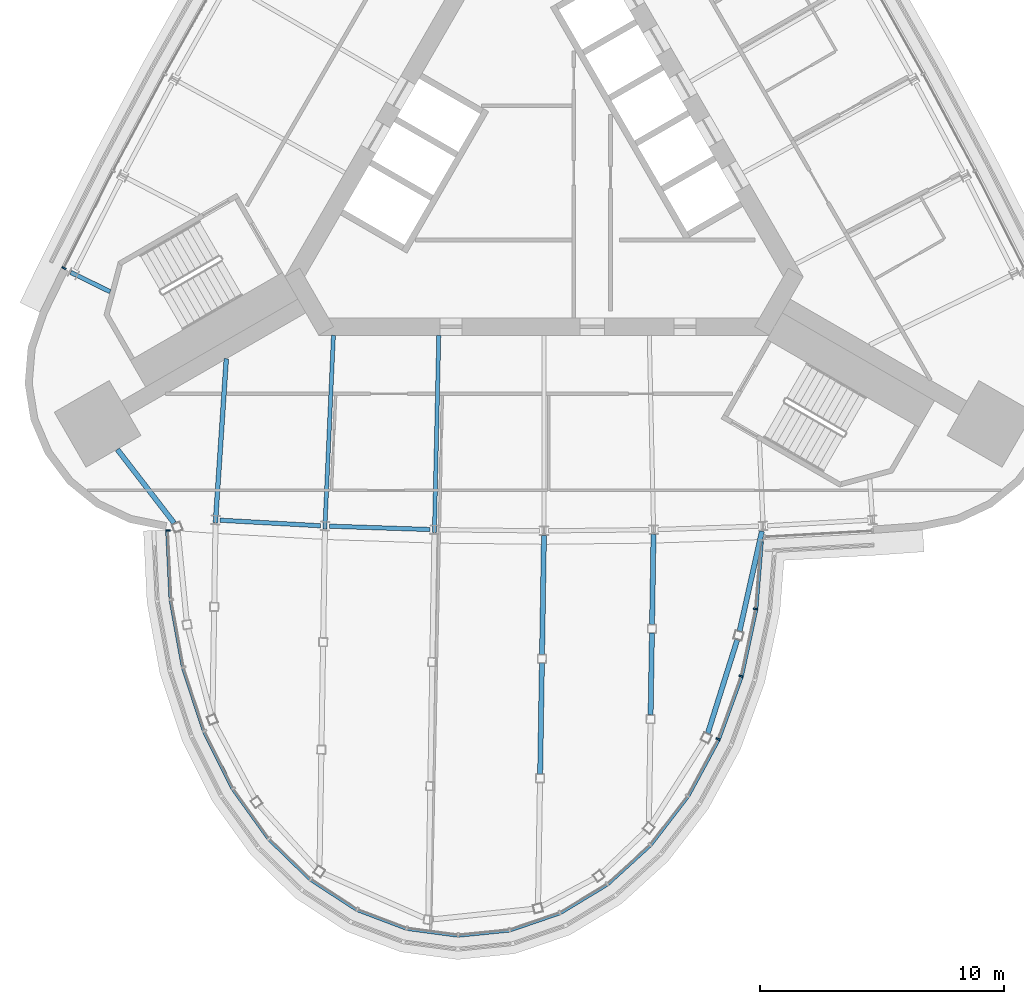
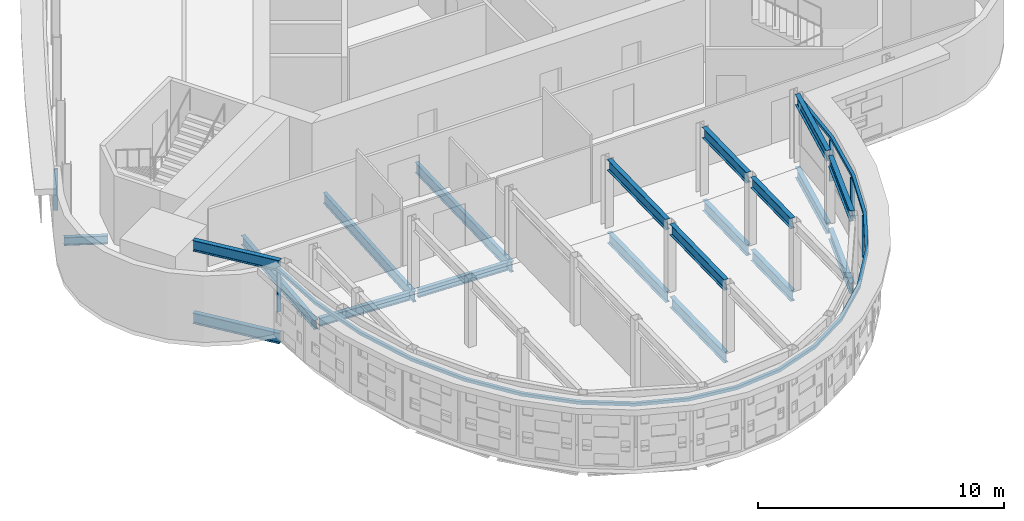
# One storey, part 4 of 15: 20 beams, 6 members, 2 elements without a shape of their own.
"""IFC4 building model written with IfcOpenShell, lengths in metres."""

import ifcopenshell
import ifcopenshell.guid

model = None  # the IFC model being written
_history = None  # IfcOwnerHistory: only IFC2X3 demands one
_inside = {}  # id of a spatial element -> (the spatial element, [elements in it])
_under = {}  # id of a project, library or spatial element -> (it, [spatial elements below it])
_declared = {}  # id of a project -> (the project, [libraries it declares])
_typed = {}  # id of a type object -> (the type object, [elements of that type])
_made_of = {}  # id of a material, layer set ... -> (it, [elements and type objects made of it])


def new_model(schema):
    """Start an empty IFC model of exactly this schema.

    Asked for "IFC4X3", IfcOpenShell would pick the latest addendum, in which some entities
    have other attributes; the version numbers below select the first issue.
    IFC2X3 requires an IfcOwnerHistory on every rooted entity: one is made here for all.
    """
    global model, _history
    if schema == "IFC4X3":
        model = ifcopenshell.file(schema_version=(4, 3, 0, 0))
    else:
        model = ifcopenshell.file(schema=schema)
    _inside.clear()
    _under.clear()
    _declared.clear()
    _typed.clear()
    _made_of.clear()
    _history = None
    if model.schema == "IFC2X3":
        org = make("IfcOrganization", Name="unknown")
        user = make(
            "IfcPersonAndOrganization",
            ThePerson=make("IfcPerson", FamilyName="unknown"),
            TheOrganization=org,
        )
        app = make(
            "IfcApplication",
            ApplicationDeveloper=org,
            Version="unknown",
            ApplicationFullName="unknown",
            ApplicationIdentifier="unknown",
        )
        _history = make(
            "IfcOwnerHistory",
            OwningUser=user,
            OwningApplication=app,
            ChangeAction="ADDED",
            CreationDate=0,
        )
    return model


def make(cls, **values):
    """One entity of the class cls with the attributes given. An attribute that is None is left unset."""
    return model.create_entity(
        cls, **{name: value for name, value in values.items() if value is not None}
    )


def rooted(cls, **values):
    """An entity with a GlobalId (a new one), such as an element, a storey or a relation."""
    return make(cls, GlobalId=ifcopenshell.guid.new(), OwnerHistory=_history, **values)


def si_unit(unit_type, name, prefix=None):
    """IfcSIUnit, for example si_unit("LENGTHUNIT", "METRE", prefix="MILLI")."""
    return make("IfcSIUnit", UnitType=unit_type, Prefix=prefix, Name=name)


def assignment(units):
    """IfcUnitAssignment: the units of a project."""
    return None if units is None else make("IfcUnitAssignment", Units=units)


def point(xyz):
    """IfcCartesianPoint."""
    return None if xyz is None else make("IfcCartesianPoint", Coordinates=xyz)


def direction(xyz):
    """IfcDirection."""
    return None if xyz is None else make("IfcDirection", DirectionRatios=xyz)


def frame(location, z_axis=None, x_axis=None):
    """IfcAxis2Placement3D, a coordinate frame: its origin and axes. An axis left out is left unset."""
    return make(
        "IfcAxis2Placement3D",
        Location=point(location),
        Axis=direction(z_axis),
        RefDirection=direction(x_axis),
    )


def frame_2d(location, x_axis=None):
    """IfcAxis2Placement2D, a coordinate frame in the plane: its origin and x axis."""
    return make(
        "IfcAxis2Placement2D", Location=point(location), RefDirection=direction(x_axis)
    )


def origin():
    """The frame at (0, 0, 0) with its axes left unset."""
    return frame((0.0, 0.0, 0.0))


def origin_2d():
    """The frame at (0, 0) in the plane with its x axis left unset."""
    return frame_2d((0.0, 0.0))


def place(relative_to, where):
    """IfcLocalPlacement: puts the frame where relative to a parent placement (None: the world)."""
    return make(
        "IfcLocalPlacement", PlacementRelTo=relative_to, RelativePlacement=where
    )


def context(
    kind, dimensions, precision=None, world=None, true_north=None, identifier=None
):
    """IfcGeometricRepresentationContext, for example the 3D "Model" context."""
    return make(
        "IfcGeometricRepresentationContext",
        ContextIdentifier=identifier,
        ContextType=kind,
        CoordinateSpaceDimension=dimensions,
        Precision=precision,
        WorldCoordinateSystem=world,
        TrueNorth=true_north,
    )


def subcontext(parent, identifier, kind, view, scale=None):
    """IfcGeometricRepresentationSubContext, for example "Body" below "Model"."""
    return make(
        "IfcGeometricRepresentationSubContext",
        ContextIdentifier=identifier,
        ContextType=kind,
        ParentContext=parent,
        TargetScale=scale,
        TargetView=view,
    )


def project(units=None, contexts=None):
    """IfcProject with its units and contexts."""
    return rooted(
        "IfcProject",
        Name="project",
        RepresentationContexts=contexts,
        UnitsInContext=assignment(units),
    )


def spatial(cls, under=None, at=None, **own):
    """A site, building, storey or space (cls), placed at a placement, below another one or the project."""
    s = rooted(cls, ObjectPlacement=at, **own)
    if under is not None:
        _under.setdefault(under.id(), (under, []))[1].append(s)
    return s


def polyline(points):
    """IfcPolyline through the points."""
    return make("IfcPolyline", Points=[point(p) for p in points])


def profile(cls, at=None, kind="AREA", **sizes):
    """A parametric profile (cls). Its sizes go by their IFC names, for example OverallWidth=200.0."""
    return make(cls, ProfileType=kind, Position=at, **sizes)


def rectangle(**sizes):
    """IfcRectangleProfileDef."""
    return profile("IfcRectangleProfileDef", **sizes)


def i_section(**sizes):
    """IfcIShapeProfileDef."""
    return profile("IfcIShapeProfileDef", **sizes)


def outline(outer, holes=None, kind="AREA"):
    """IfcArbitraryClosedProfileDef: a profile drawn as a closed curve; with holes, ...WithVoids."""
    if holes is None:
        return make("IfcArbitraryClosedProfileDef", ProfileType=kind, OuterCurve=outer)
    return make(
        "IfcArbitraryProfileDefWithVoids",
        ProfileType=kind,
        OuterCurve=outer,
        InnerCurves=holes,
    )


def extrude(swept, where, along, depth):
    """IfcExtrudedAreaSolid: the profile swept, set in the frame where, extruded along a direction by depth."""
    return make(
        "IfcExtrudedAreaSolid",
        SweptArea=swept,
        Position=where,
        ExtrudedDirection=direction(along),
        Depth=depth,
    )


def shape(context_of_items, identifier, shape_type, items):
    """IfcShapeRepresentation: the items that make up one representation, for example the "Body"."""
    return make(
        "IfcShapeRepresentation",
        ContextOfItems=context_of_items,
        RepresentationIdentifier=identifier,
        RepresentationType=shape_type,
        Items=items,
    )


def material(Name=None, Category=None):
    """IfcMaterial."""
    return make("IfcMaterial", Name=Name, Category=Category)


def material_profile(
    of_material, cross_section, Name=None, Category=None, Priority=None
):
    """IfcMaterialProfile: a cross section and its material."""
    return make(
        "IfcMaterialProfile",
        Name=Name,
        Material=of_material,
        Profile=cross_section,
        Priority=Priority,
        Category=Category,
    )


def profile_set(profiles, Name=None, composite=None):
    """IfcMaterialProfileSet."""
    return make(
        "IfcMaterialProfileSet",
        Name=Name,
        MaterialProfiles=profiles,
        CompositeProfile=composite,
    )


def made_of(thing, what):
    """Note that an element or type object is made of a material, layer set ...; save() writes the relation."""
    if what is not None:
        _made_of.setdefault(what.id(), (what, []))[1].append(thing)
    return thing


def type_object(cls, material=None, **own):
    """A type object (cls), such as IfcWallType, which elements share."""
    return made_of(rooted(cls, **own), material)


def element(
    cls,
    number,
    at=None,
    inside=None,
    cuts=None,
    type_object=None,
    material=None,
    context=None,
    identifier="Body",
    shape_type=None,
    held_by="IfcProductDefinitionShape",
    body=None,
    shapes=None,
    **own,
):
    """One element of the class cls, such as IfcWall. Its Tag is "e" and its number.

    at: its placement. inside: the storey or other place that contains it. cuts: it is an
    opening in that element (IfcRelVoidsElement). A single representation is given by context,
    identifier, shape_type and body (its items); several are given by shapes. held_by: the class
    of the entity that holds the representations. save() writes the other relations.
    """
    e = rooted(cls, Tag="e%d" % number, ObjectPlacement=at, **own)
    if body is not None:
        shapes = [shape(context, identifier, shape_type, body)]
    if shapes is not None:
        e.Representation = make(held_by, Representations=shapes)
    if inside is not None:
        _inside.setdefault(inside.id(), (inside, []))[1].append(e)
    if cuts is not None:
        rooted(
            "IfcRelVoidsElement", RelatingBuildingElement=cuts, RelatedOpeningElement=e
        )
    if type_object is not None:
        _typed.setdefault(type_object.id(), (type_object, []))[1].append(e)
    return made_of(e, material)


def aggregate(whole, parts):
    """IfcRelAggregates: a whole, such as a stair, and the parts it consists of."""
    return rooted("IfcRelAggregates", RelatingObject=whole, RelatedObjects=parts)


def save(model, path):
    """Write the relations noted so far, then the file.

    IfcRelAggregates (storeys below a building ...), IfcRelContainedInSpatialStructure (elements
    in a storey), IfcRelDefinesByType, IfcRelAssociatesMaterial and IfcRelDeclares: one each for
    every whole, place, type object, material and project.
    """
    for whole, parts in _under.values():
        aggregate(whole, parts)
    for where, things in _inside.values():
        rooted(
            "IfcRelContainedInSpatialStructure",
            RelatedElements=things,
            RelatingStructure=where,
        )
    for kind, things in _typed.values():
        rooted("IfcRelDefinesByType", RelatedObjects=things, RelatingType=kind)
    for what, things in _made_of.values():
        rooted("IfcRelAssociatesMaterial", RelatedObjects=things, RelatingMaterial=what)
    for by, libraries in _declared.values():
        rooted("IfcRelDeclares", RelatingContext=by, RelatedDefinitions=libraries)
    model.write(path)


model = new_model("IFC4")

# Units and contexts
model_context = context("Model", 3, precision=1e-05, world=origin(), true_north=direction((0.0, 1.0)))
body_context = subcontext(model_context, "Body", "Model", "MODEL_VIEW")
ifc_project = project(units=[si_unit("LENGTHUNIT", "METRE"), si_unit("AREAUNIT", "SQUARE_METRE"), si_unit("VOLUMEUNIT", "CUBIC_METRE"), si_unit("PLANEANGLEUNIT", "RADIAN"), si_unit("MASSUNIT", "GRAM", prefix="KILO")], contexts=[model_context])

# Site, building, storey
site_placement = place(None, origin())
site = spatial("IfcSite", under=ifc_project, at=site_placement, CompositionType="ELEMENT")
building_placement = place(site_placement, origin())
building = spatial("IfcBuilding", under=site, at=building_placement, Name="Noor Cloister Tower", CompositionType="ELEMENT")
storey_placement = place(building_placement, frame((0.0, 0.0, 225.60009765625)))
storey = spatial("IfcBuildingStorey", under=building, at=storey_placement, Name="L58", CompositionType="ELEMENT", Elevation=225.60009765625)

# Curtain wall, member
ifc_material_1 = material(Name="Aluminium 6063-T6 anodised", Category="aluminium")
curtain_wall_type_1 = type_object("IfcCurtainWallType", Name="Sky bar curtain wall, upper bars CW6", PredefinedType="NOTDEFINED", material=ifc_material_1)
curtain_wall_1_placement = place(storey_placement, origin())
curtain_wall_1 = element("IfcCurtainWall", 1, at=curtain_wall_1_placement, inside=storey, type_object=curtain_wall_type_1, Name="CW6 L58 S sky bar run 2", PredefinedType="NOTDEFINED")
ifc_material_2 = material(Name="Aluminium 6063-T6 anodised", Category="aluminium")
member_type_1 = type_object("IfcMemberType", Name="Head transom CW6 150", PredefinedType="USERDEFINED", material=ifc_material_2)
member_1_placement = place(storey_placement, frame((0.0, 0.0, 3.14990234375)))
member_1 = element("IfcMember", 2, at=member_1_placement, type_object=member_type_1, Name="CW6 head transom", ObjectType="TRANSOM", PredefinedType="USERDEFINED", context=body_context, shape_type="SweptSolid", body=[
    extrude(outline(polyline([(-15.50732421875, -14.898193359375), (-15.366943359375, -17.76611328125), (-14.85888671875, -20.552734375), (-13.998046875, -23.173583984375), (-12.810791015625, -25.548828125), (-11.333251953125, -27.6064453125), (-9.6103515625, -29.2841796875), (-7.6943359375, -30.530517578125), (-5.643310546875, -31.307861328125), (-3.519775390625, -31.5927734375), (-1.38818359375, -31.376220703125), (0.686767578125, -30.6650390625), (2.641845703125, -29.480712890625), (4.417724609375, -27.859130859375), (5.96044921875, -25.85009765625), (7.22314453125, -23.513916015625), (8.167724609375, -20.922119140625), (8.764892578125, -18.153076171875), (8.9970703125, -15.291259765625), (8.857421875, -15.280029296875), (8.626220703125, -18.132568359375), (8.03271484375, -20.883056640625), (7.09521484375, -23.456298828125), (5.842529296875, -25.773681640625), (4.314208984375, -27.76416015625), (2.5576171875, -29.367919921875), (0.626953125, -30.537353515625), (-1.418212890625, -31.238525390625), (-3.517578125, -31.45166015625), (-5.608642578125, -31.17138671875), (-7.630615234375, -30.405029296875), (-9.5224609375, -29.17431640625), (-11.226806640625, -27.514892578125), (-12.690673828125, -25.476318359375), (-13.8681640625, -23.1201171875), (-14.722900390625, -20.51806640625), (-15.227783203125, -17.75), (-15.367431640625, -14.891357421875), (-15.50732421875, -14.898193359375)])), origin(), (0.0, 0.0, 1.0), 0.14990234375),
])

ifc_material_3 = material(Name="Aluminium 6063-T6 anodised", Category="aluminium")
curtain_wall_type_2 = type_object("IfcCurtainWallType", Name="Ribbon curtain wall, upper tower CW5", PredefinedType="NOTDEFINED", material=ifc_material_3)
curtain_wall_2_placement = place(storey_placement, origin())
curtain_wall_2 = element("IfcCurtainWall", 3, at=curtain_wall_2_placement, inside=storey, type_object=curtain_wall_type_2, Name="CW5 L58 NW run 1", PredefinedType="NOTDEFINED")
ifc_material_4 = material(Name="Aluminium 6063-T6 anodised", Category="aluminium")
ifc_material_profile_1 = material_profile(ifc_material_4, rectangle(XDim=0.179931640625, YDim=0.070068359375, at=origin_2d()), Name="180 x 70 mullion")
ifc_profile_set_1 = profile_set([ifc_material_profile_1], Name="Aluminium 6063-T6 anodised")
member_type_2 = type_object("IfcMemberType", Name="Mullion CW5 70 x 180", PredefinedType="MULLION", material=ifc_profile_set_1)
member_2_placement = place(storey_placement, frame((-19.667236328125, -4.175537109375, 1.099853515625), z_axis=(0.0, 0.0, 1.0), x_axis=(0.892352618471, -0.451338901833, 0.0)))
member_2 = element("IfcMember", 4, at=member_2_placement, type_object=member_type_2, Name="CW5 mullion 7", PredefinedType="MULLION", context=body_context, shape_type="SweptSolid", body=[
    extrude(rectangle(XDim=0.179931640625, YDim=0.070068359375, at=origin_2d()), origin(), (0.0, 0.0, 1.0), 2.050048828125),
])
aggregate(curtain_wall_2, [member_2])

# Member
ifc_material_5 = material(Name="Aluminium 6063-T6 anodised", Category="aluminium")
ifc_material_profile_2 = material_profile(ifc_material_5, rectangle(XDim=0.179931640625, YDim=0.070068359375, at=origin_2d()), Name="180 x 70 mullion")
ifc_profile_set_2 = profile_set([ifc_material_profile_2], Name="Aluminium 6063-T6 anodised")
member_type_3 = type_object("IfcMemberType", Name="Mullion CW6 70 x 180", PredefinedType="MULLION", material=ifc_profile_set_2)
member_3_placement = place(storey_placement, frame((-15.40576171875, -14.92822265625, 1.099853515625), z_axis=(0.0, 0.0, 1.0), x_axis=(0.998807460194, 0.048822714606, 0.0)))
member_3 = element("IfcMember", 5, at=member_3_placement, type_object=member_type_3, Name="CW6 mullion 1", PredefinedType="MULLION", context=body_context, shape_type="SweptSolid", body=[
    extrude(rectangle(XDim=0.179931640625, YDim=0.070068359375, at=origin_2d()), origin(), (0.0, 0.0, 1.0), 2.050048828125),
])

member_4_placement = place(storey_placement, frame((7.1318359375, -23.472900390625, 1.099853515625), z_axis=(0.0, 0.0, 1.0), x_axis=(-0.912069777343, 0.410035024428, 0.0)))
member_4 = element("IfcMember", 6, at=member_4_placement, type_object=member_type_3, Name="CW6 mullion 16", PredefinedType="MULLION", context=body_context, shape_type="SweptSolid", body=[
    extrude(rectangle(XDim=0.179931640625, YDim=0.070068359375, at=origin_2d()), origin(), (0.0, 0.0, 1.0), 2.050048828125),
])

member_5_placement = place(storey_placement, frame((8.0712890625, -20.894287109375, 1.099853515625), z_axis=(0.0, 0.0, 1.0), x_axis=(-0.960794553727, 0.277261294682, 0.0)))
member_5 = element("IfcMember", 7, at=member_5_placement, type_object=member_type_3, Name="CW6 mullion 17", PredefinedType="MULLION", context=body_context, shape_type="SweptSolid", body=[
    extrude(rectangle(XDim=0.179931640625, YDim=0.070068359375, at=origin_2d()), origin(), (0.0, 0.0, 1.0), 2.050048828125),
])

member_6_placement = place(storey_placement, frame((8.665771484375, -18.138427734375, 1.099853515625), z_axis=(0.0, 0.0, 1.0), x_axis=(-0.989259624416, 0.146169064784, 0.0)))
member_6 = element("IfcMember", 8, at=member_6_placement, type_object=member_type_3, Name="CW6 mullion 18", PredefinedType="MULLION", context=body_context, shape_type="SweptSolid", body=[
    extrude(rectangle(XDim=0.179931640625, YDim=0.070068359375, at=origin_2d()), origin(), (0.0, 0.0, 1.0), 2.050048828125),
])

aggregate(curtain_wall_1, [member_3, member_4, member_5, member_6, member_1])

# Beams
ifc_material_6 = material(Name="Steel ASTM A992 Gr 50", Category="steel")
ifc_material_profile_3 = material_profile(ifc_material_6, i_section(OverallWidth=0.208984375, OverallDepth=0.532958984375, WebThickness=0.01025390625, FlangeThickness=0.015625, FilletRadius=0.0126953125, at=origin_2d()), Name="W530x92")
ifc_profile_set_3 = profile_set([ifc_material_profile_3], Name="Steel ASTM A992 Gr 50")
beam_type_1 = type_object("IfcBeamType", Name="Pod floor beam W530x92", PredefinedType="BEAM", material=ifc_profile_set_3)
beam_1_placement = place(storey_placement, frame((-0.0029296875, -15.126220703125, -0.466552734375), z_axis=(-0.016073644342, -0.999870810634, 0.0), x_axis=(0.999870810634, -0.016073644342, 0.0)))
element("IfcBeam", 9, at=beam_1_placement, inside=storey, type_object=beam_type_1, Name="Pod floor beam 4 L58 line 4 span 1", PredefinedType="BEAM", context=body_context, shape_type="SweptSolid", body=[
    extrude(i_section(OverallWidth=0.208984375, OverallDepth=0.532958984375, WebThickness=0.01025390625, FlangeThickness=0.015625, FilletRadius=0.0126953125, at=origin_2d()), origin(), (0.0, 0.0, 1.0), 4.875732421875),
])
beam_2_placement = place(storey_placement, frame((-0.0869140625, -20.357177734375, -0.466552734375), z_axis=(-0.016026340783, -0.999871569953, 0.0), x_axis=(0.999871569953, -0.016026340783, 0.0)))
element("IfcBeam", 10, at=beam_2_placement, inside=storey, type_object=beam_type_1, Name="Pod floor beam 4 L58 line 4 span 2", PredefinedType="BEAM", context=body_context, shape_type="SweptSolid", body=[
    extrude(i_section(OverallWidth=0.208984375, OverallDepth=0.532958984375, WebThickness=0.01025390625, FlangeThickness=0.015625, FilletRadius=0.0126953125, at=origin_2d()), origin(), (0.0, 0.0, 1.0), 4.53955078125),
])
beam_3_placement = place(storey_placement, frame((4.484375, -15.078857421875, -0.466552734375), z_axis=(-0.016020189604, -0.999871668528, 0.0), x_axis=(0.999871668528, -0.016020189604, 0.0)))
element("IfcBeam", 11, at=beam_3_placement, inside=storey, type_object=beam_type_1, Name="Pod floor beam 4 L58 line 5 span 1", PredefinedType="BEAM", context=body_context, shape_type="SweptSolid", body=[
    extrude(i_section(OverallWidth=0.208984375, OverallDepth=0.532958984375, WebThickness=0.01025390625, FlangeThickness=0.015625, FilletRadius=0.0126953125, at=origin_2d()), origin(), (0.0, 0.0, 1.0), 3.68798828125),
])
beam_4_placement = place(storey_placement, frame((4.419677734375, -19.122314453125, -0.466552734375), z_axis=(-0.016104608923, -0.999870312376, 0.0), x_axis=(0.999870312376, -0.016104608923, 0.0)))
element("IfcBeam", 12, at=beam_4_placement, inside=storey, type_object=beam_type_1, Name="Pod floor beam 4 L58 line 5 span 2", PredefinedType="BEAM", context=body_context, shape_type="SweptSolid", body=[
    extrude(i_section(OverallWidth=0.208984375, OverallDepth=0.532958984375, WebThickness=0.01025390625, FlangeThickness=0.015625, FilletRadius=0.0126953125, at=origin_2d()), origin(), (0.0, 0.0, 1.0), 3.350341796875),
])
beam_5_placement = place(storey_placement, frame((-17.476318359375, -11.607177734375, -0.466552734375), z_axis=(0.61085747159, -0.791740582137, 0.0), x_axis=(0.791740582137, 0.61085747159, 0.0)))
element("IfcBeam", 13, at=beam_5_placement, inside=storey, type_object=beam_type_1, Name="Pod floor beam 4 L58 ring 1", PredefinedType="BEAM", context=body_context, shape_type="SweptSolid", body=[
    extrude(i_section(OverallWidth=0.208984375, OverallDepth=0.532958984375, WebThickness=0.01025390625, FlangeThickness=0.015625, FilletRadius=0.0126953125, at=origin_2d()), origin(), (0.0, 0.0, 1.0), 3.804931640625),
])
beam_6_placement = place(storey_placement, frame((6.707763671875, -23.23388671875, -0.466552734375), z_axis=(0.300645405409, 0.953735990831, 0.0), x_axis=(-0.953735990831, 0.300645405409, 0.0)))
element("IfcBeam", 14, at=beam_6_placement, inside=storey, type_object=beam_type_1, Name="Pod floor beam 4 L58 ring 11", PredefinedType="BEAM", context=body_context, shape_type="SweptSolid", body=[
    extrude(i_section(OverallWidth=0.208984375, OverallDepth=0.532958984375, WebThickness=0.01025390625, FlangeThickness=0.015625, FilletRadius=0.0126953125, at=origin_2d()), origin(), (0.0, 0.0, 1.0), 4.015625),
])
beam_7_placement = place(storey_placement, frame((8.009765625, -19.051513671875, -0.466552734375), z_axis=(0.218069707422, 0.975933195821, 0.0), x_axis=(-0.975933195821, 0.218069707422, 0.0)))
element("IfcBeam", 15, at=beam_7_placement, inside=storey, type_object=beam_type_1, Name="Pod floor beam 4 L58 ring 12", PredefinedType="BEAM", context=body_context, shape_type="SweptSolid", body=[
    extrude(i_section(OverallWidth=0.208984375, OverallDepth=0.532958984375, WebThickness=0.01025390625, FlangeThickness=0.015625, FilletRadius=0.0126953125, at=origin_2d()), origin(), (0.0, 0.0, 1.0), 4.197265625),
])
beam_8_placement = place(storey_placement, frame((-0.0029296875, -15.126220703125, 3.13330078125), z_axis=(-0.016073644342, -0.999870810634, 0.0), x_axis=(0.999870810634, -0.016073644342, 0.0)))
element("IfcBeam", 16, at=beam_8_placement, inside=storey, type_object=beam_type_1, Name="Pod floor beam 4 L59 line 4 span 1", PredefinedType="BEAM", context=body_context, shape_type="SweptSolid", body=[
    extrude(i_section(OverallWidth=0.208984375, OverallDepth=0.532958984375, WebThickness=0.01025390625, FlangeThickness=0.015625, FilletRadius=0.0126953125, at=origin_2d()), origin(), (0.0, 0.0, 1.0), 4.875732421875),
])
beam_9_placement = place(storey_placement, frame((-0.0869140625, -20.357177734375, 3.13330078125), z_axis=(-0.016026340783, -0.999871569953, 0.0), x_axis=(0.999871569953, -0.016026340783, 0.0)))
element("IfcBeam", 17, at=beam_9_placement, inside=storey, type_object=beam_type_1, Name="Pod floor beam 4 L59 line 4 span 2", PredefinedType="BEAM", context=body_context, shape_type="SweptSolid", body=[
    extrude(i_section(OverallWidth=0.208984375, OverallDepth=0.532958984375, WebThickness=0.01025390625, FlangeThickness=0.015625, FilletRadius=0.0126953125, at=origin_2d()), origin(), (0.0, 0.0, 1.0), 4.53955078125),
])
beam_10_placement = place(storey_placement, frame((4.484375, -15.078857421875, 3.13330078125), z_axis=(-0.016020189604, -0.999871668528, 0.0), x_axis=(0.999871668528, -0.016020189604, 0.0)))
element("IfcBeam", 18, at=beam_10_placement, inside=storey, type_object=beam_type_1, Name="Pod floor beam 4 L59 line 5 span 1", PredefinedType="BEAM", context=body_context, shape_type="SweptSolid", body=[
    extrude(i_section(OverallWidth=0.208984375, OverallDepth=0.532958984375, WebThickness=0.01025390625, FlangeThickness=0.015625, FilletRadius=0.0126953125, at=origin_2d()), origin(), (0.0, 0.0, 1.0), 3.68798828125),
])
beam_11_placement = place(storey_placement, frame((4.419677734375, -19.122314453125, 3.13330078125), z_axis=(-0.016104608923, -0.999870312376, 0.0), x_axis=(0.999870312376, -0.016104608923, 0.0)))
element("IfcBeam", 19, at=beam_11_placement, inside=storey, type_object=beam_type_1, Name="Pod floor beam 4 L59 line 5 span 2", PredefinedType="BEAM", context=body_context, shape_type="SweptSolid", body=[
    extrude(i_section(OverallWidth=0.208984375, OverallDepth=0.532958984375, WebThickness=0.01025390625, FlangeThickness=0.015625, FilletRadius=0.0126953125, at=origin_2d()), origin(), (0.0, 0.0, 1.0), 3.350341796875),
])
beam_12_placement = place(storey_placement, frame((-17.476318359375, -11.607177734375, 3.13330078125), z_axis=(0.61085747159, -0.791740582137, 0.0), x_axis=(0.791740582137, 0.61085747159, 0.0)))
element("IfcBeam", 20, at=beam_12_placement, inside=storey, type_object=beam_type_1, Name="Pod floor beam 4 L59 ring 1", PredefinedType="BEAM", context=body_context, shape_type="SweptSolid", body=[
    extrude(i_section(OverallWidth=0.208984375, OverallDepth=0.532958984375, WebThickness=0.01025390625, FlangeThickness=0.015625, FilletRadius=0.0126953125, at=origin_2d()), origin(), (0.0, 0.0, 1.0), 3.804931640625),
])
beam_13_placement = place(storey_placement, frame((6.707763671875, -23.23388671875, 3.13330078125), z_axis=(0.300645405409, 0.953735990831, 0.0), x_axis=(-0.953735990831, 0.300645405409, 0.0)))
element("IfcBeam", 21, at=beam_13_placement, inside=storey, type_object=beam_type_1, Name="Pod floor beam 4 L59 ring 11", PredefinedType="BEAM", context=body_context, shape_type="SweptSolid", body=[
    extrude(i_section(OverallWidth=0.208984375, OverallDepth=0.532958984375, WebThickness=0.01025390625, FlangeThickness=0.015625, FilletRadius=0.0126953125, at=origin_2d()), origin(), (0.0, 0.0, 1.0), 4.015625),
])
beam_14_placement = place(storey_placement, frame((8.009765625, -19.051513671875, 3.13330078125), z_axis=(0.218069707422, 0.975933195821, 0.0), x_axis=(-0.975933195821, 0.218069707422, 0.0)))
element("IfcBeam", 22, at=beam_14_placement, inside=storey, type_object=beam_type_1, Name="Pod floor beam 4 L59 ring 12", PredefinedType="BEAM", context=body_context, shape_type="SweptSolid", body=[
    extrude(i_section(OverallWidth=0.208984375, OverallDepth=0.532958984375, WebThickness=0.01025390625, FlangeThickness=0.015625, FilletRadius=0.0126953125, at=origin_2d()), origin(), (0.0, 0.0, 1.0), 4.197265625),
])
ifc_material_7 = material(Name="Steel ASTM A992 Gr 50", Category="steel")
ifc_material_profile_4 = material_profile(ifc_material_7, i_section(OverallWidth=0.177978515625, OverallDepth=0.406005859375, WebThickness=0.0078125, FlangeThickness=0.0126953125, FilletRadius=0.01025390625, at=origin_2d()), Name="W410x60")
ifc_profile_set_4 = profile_set([ifc_material_profile_4], Name="Steel ASTM A992 Gr 50")
beam_type_2 = type_object("IfcBeamType", Name="Radial beam W410x60", PredefinedType="BEAM", material=ifc_profile_set_4)
beam_15_placement = place(storey_placement, frame((-19.3828125, -4.35302734375, -0.403076171875), z_axis=(0.897289957795, -0.441441651457, 0.0), x_axis=(0.441441651457, 0.897289957795, 0.0)))
element("IfcBeam", 23, at=beam_15_placement, inside=storey, type_object=beam_type_2, Name="Radial beam NW 07 L58", PredefinedType="BEAM", context=body_context, shape_type="SweptSolid", body=[
    extrude(i_section(OverallWidth=0.177978515625, OverallDepth=0.406005859375, WebThickness=0.0078125, FlangeThickness=0.0126953125, FilletRadius=0.01025390625, at=origin_2d()), origin(), (0.0, 0.0, 1.0), 1.79638671875),
])
ifc_material_8 = material(Name="Steel ASTM A992 Gr 50", Category="steel")
ifc_material_profile_5 = material_profile(ifc_material_8, i_section(OverallWidth=0.19091796875, OverallDepth=0.45703125, WebThickness=0.009033203125, FlangeThickness=0.014404296875, FilletRadius=0.01025390625, at=origin_2d()), Name="W460x74")
ifc_profile_set_5 = profile_set([ifc_material_profile_5], Name="Steel ASTM A992 Gr 50")
beam_type_3 = type_object("IfcBeamType", Name="Radial beam W460x74", PredefinedType="BEAM", material=ifc_profile_set_5)
beam_16_placement = place(storey_placement, frame((-13.461181640625, -14.609375, -0.4287109375), z_axis=(0.066336159121, 0.997797331121, 0.0), x_axis=(-0.997797331121, 0.066336159121, 0.0)))
element("IfcBeam", 24, at=beam_16_placement, inside=storey, type_object=beam_type_3, Name="Radial beam S 01 L58", PredefinedType="BEAM", context=body_context, shape_type="SweptSolid", body=[
    extrude(i_section(OverallWidth=0.19091796875, OverallDepth=0.45703125, WebThickness=0.009033203125, FlangeThickness=0.014404296875, FilletRadius=0.01025390625, at=origin_2d()), origin(), (0.0, 0.0, 1.0), 6.735107421875),
])
ifc_material_9 = material(Name="Steel ASTM A992 Gr 50", Category="steel")
ifc_material_profile_6 = material_profile(ifc_material_9, i_section(OverallWidth=0.166015625, OverallDepth=0.528076171875, WebThickness=0.009765625, FlangeThickness=0.013671875, FilletRadius=0.0126953125, at=origin_2d()), Name="W530x74")
ifc_profile_set_6 = profile_set([ifc_material_profile_6], Name="Steel ASTM A992 Gr 50")
beam_type_4 = type_object("IfcBeamType", Name="Radial beam W530x74", PredefinedType="BEAM", material=ifc_profile_set_6)
beam_17_placement = place(storey_placement, frame((-8.977783203125, -14.857666015625, -0.464111328125), z_axis=(0.044231430946, 0.999021311342, 0.0), x_axis=(-0.999021311342, 0.044231430946, 0.0)))
element("IfcBeam", 25, at=beam_17_placement, inside=storey, type_object=beam_type_4, Name="Radial beam S 02 L58", PredefinedType="BEAM", context=body_context, shape_type="SweptSolid", body=[
    extrude(i_section(OverallWidth=0.166015625, OverallDepth=0.528076171875, WebThickness=0.009765625, FlangeThickness=0.013671875, FilletRadius=0.0126953125, at=origin_2d()), origin(), (0.0, 0.0, 1.0), 7.937255859375),
])
beam_18_placement = place(storey_placement, frame((-4.489990234375, -15.0068359375, -0.464111328125), z_axis=(0.022116076152, 0.999755409676, 0.0), x_axis=(-0.999755409676, 0.022116076152, 0.0)))
element("IfcBeam", 26, at=beam_18_placement, inside=storey, type_object=beam_type_4, Name="Radial beam S 03 L58", PredefinedType="BEAM", context=body_context, shape_type="SweptSolid", body=[
    extrude(i_section(OverallWidth=0.166015625, OverallDepth=0.528076171875, WebThickness=0.009765625, FlangeThickness=0.013671875, FilletRadius=0.0126953125, at=origin_2d()), origin(), (0.0, 0.0, 1.0), 8.08056640625),
])
ifc_material_10 = material(Name="Steel ASTM A992 Gr 50", Category="steel")
ifc_material_profile_7 = material_profile(ifc_material_10, i_section(OverallWidth=0.177978515625, OverallDepth=0.406005859375, WebThickness=0.0078125, FlangeThickness=0.0126953125, FilletRadius=0.01025390625, at=origin_2d()), Name="W410x60")
ifc_profile_set_7 = profile_set([ifc_material_profile_7], Name="Steel ASTM A992 Gr 50")
beam_type_5 = type_object("IfcBeamType", Name="Spandrel beam W410x60", PredefinedType="SPANDREL", material=ifc_profile_set_7)
for number, where, z_axis, x_axis, name in (
    (27, (-13.267333984375, -14.50390625, -0.403076171875), (0.998469831997, -0.055299137356, 0.0), (0.055299137356, 0.998469831997, 0.0), "Spandrel beam S 01 L58"),
    (28, (-8.786376953125, -14.748046875, -0.403076171875), (0.999447866334, -0.033225930849, 0.0), (0.033225930849, 0.999447866334, 0.0), "Spandrel beam S 02 L58"),
):
    element("IfcBeam", number, at=place(storey_placement, frame(where, z_axis=z_axis, x_axis=x_axis)), inside=storey, type_object=beam_type_5, Name=name, PredefinedType="SPANDREL", context=body_context, shape_type="SweptSolid", body=[
        extrude(i_section(OverallWidth=0.177978515625, OverallDepth=0.406005859375, WebThickness=0.0078125, FlangeThickness=0.0126953125, FilletRadius=0.01025390625, at=origin_2d()), origin(), (0.0, 0.0, 1.0), 4.11474609375),
    ])

save(model, "model.ifc")
